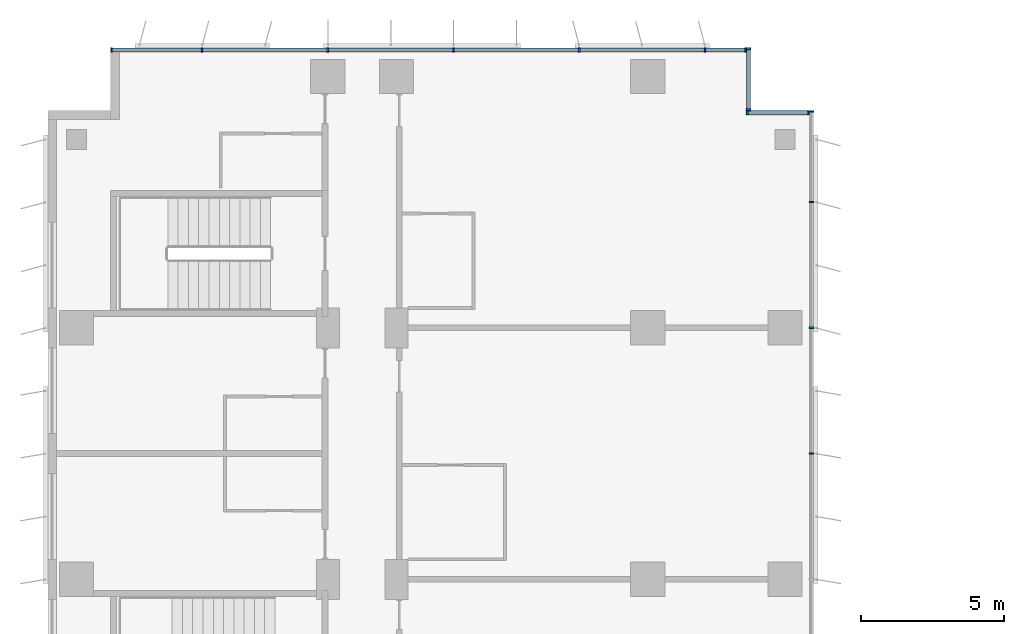
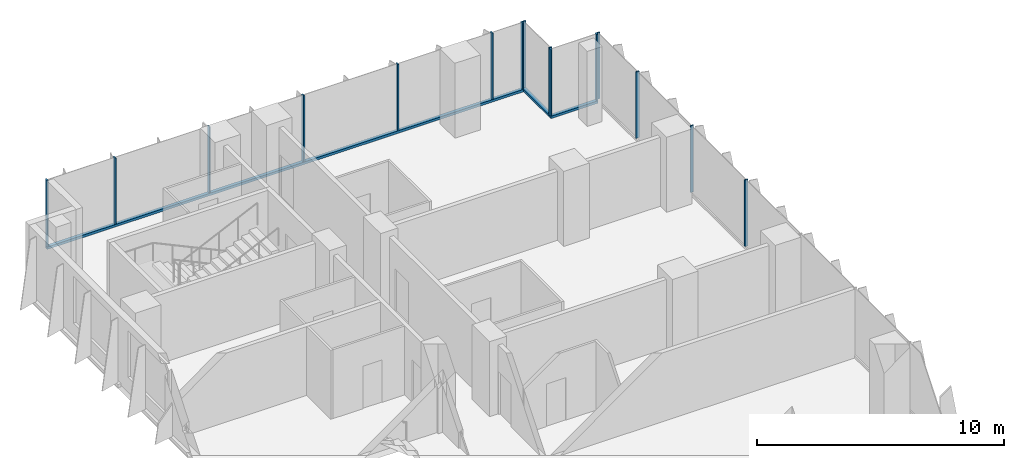
# One storey, part 9 of 22: 18 members, 4 elements without a shape of their own.
"""IFC4 building model written with IfcOpenShell, lengths in metres."""

from ifc_helpers import new_model, si_unit, direction, frame, origin, origin_2d, place, context, subcontext, project, spatial, rectangle, extrude, source, transform, mapped, material, material_profile, profile_set, type_object, element, aggregate, save


model = new_model("IFC4")

# Units and contexts
model_context = context("Model", 3, precision=1e-05, world=origin(), true_north=direction((0.0, 1.0)))
body_context = subcontext(model_context, "Body", "Model", "MODEL_VIEW")
ifc_project = project(units=[si_unit("LENGTHUNIT", "METRE"), si_unit("AREAUNIT", "SQUARE_METRE"), si_unit("VOLUMEUNIT", "CUBIC_METRE"), si_unit("PLANEANGLEUNIT", "RADIAN"), si_unit("MASSUNIT", "GRAM", prefix="KILO")], contexts=[model_context])

# Site, building, storey
site_placement = place(None, origin())
site = spatial("IfcSite", under=ifc_project, at=site_placement, CompositionType="ELEMENT")
building_placement = place(site_placement, origin())
building = spatial("IfcBuilding", under=site, at=building_placement, Name="Kemantara Hotel Tower", CompositionType="ELEMENT")
storey_placement = place(building_placement, frame((0.0, 0.0, 107.39990234375)))
storey = spatial("IfcBuildingStorey", under=building, at=storey_placement, Name="L25", CompositionType="ELEMENT", Elevation=107.39990234375)

# Curtain wall, member
ifc_material_1 = material(Name="Low-E tinted double insulated glass 36 mm", Category="glass")
curtain_wall_type = type_object("IfcCurtainWallType", Name="TOWER CURTAIN WALL, FRONT FACES", PredefinedType="USERDEFINED", material=ifc_material_1)
curtain_wall_1_placement = place(storey_placement, origin())
curtain_wall_1 = element("IfcCurtainWall", 1, at=curtain_wall_1_placement, inside=storey, type_object=curtain_wall_type, Name="CW4 L25 T2-R01-1", ObjectType="TOWER CURTAIN WALL, FRONT FACES", PredefinedType="USERDEFINED")
ifc_material_2 = material(Name="Aluminium 6063-T6 bronze anodised", Category="aluminium")
ifc_material_profile_1 = material_profile(ifc_material_2, rectangle(XDim=0.14990234375, YDim=0.1201171875, at=origin_2d()), Name="TOWER CURTAIN WALL, FRONT FACES TRANSOM")
ifc_profile_set_1 = profile_set([ifc_material_profile_1], Name="Aluminium 6063-T6 bronze anodised")
member_type_1 = type_object("IfcMemberType", Name="TOWER CURTAIN WALL, FRONT FACES TRANSOM", PredefinedType="USERDEFINED", material=ifc_profile_set_1)
member_1_placement = place(storey_placement, frame((24.449951171875, 81.125, 0.06005859375), z_axis=(-1.0, 0.0, 0.0), x_axis=(0.0, -1.0, 0.0)))
member_1 = element("IfcMember", 2, at=member_1_placement, type_object=member_type_1, Name="CW4 sill transom T2-R01-1", ObjectType="TRANSOM", PredefinedType="USERDEFINED", context=body_context, shape_type="SweptSolid", body=[
    extrude(rectangle(XDim=0.14990234375, YDim=0.1201171875, at=origin_2d()), origin(), (0.0, 0.0, 1.0), 22.25),
])

curtain_wall_2_placement = place(storey_placement, origin())
curtain_wall_2 = element("IfcCurtainWall", 3, at=curtain_wall_2_placement, inside=storey, type_object=curtain_wall_type, Name="CW4 L25 T2-R00-1", ObjectType="TOWER CURTAIN WALL, FRONT FACES", PredefinedType="USERDEFINED")
member_2_placement = place(storey_placement, frame((24.52490234375, 79.0, 0.06005859375), z_axis=(0.0, 1.0, 0.0), x_axis=(-1.0, 0.0, 0.0)))
member_2 = element("IfcMember", 4, at=member_2_placement, type_object=member_type_1, Name="CW4 sill transom T2-R00-1", ObjectType="TRANSOM", PredefinedType="USERDEFINED", context=body_context, shape_type="SweptSolid", body=[
    extrude(rectangle(XDim=0.14990234375, YDim=0.1201171875, at=origin_2d()), origin(), (0.0, 0.0, 1.0), 2.199951171875),
])

curtain_wall_3_placement = place(storey_placement, origin())
curtain_wall_3 = element("IfcCurtainWall", 5, at=curtain_wall_3_placement, inside=storey, type_object=curtain_wall_type, Name="CW4 L25 T2-R15-1", ObjectType="TOWER CURTAIN WALL, FRONT FACES", PredefinedType="USERDEFINED")
member_3_placement = place(storey_placement, frame((26.64990234375, 78.925048828125, 0.06005859375), z_axis=(-1.0, 0.0, 0.0), x_axis=(0.0, -1.0, 0.0)))
member_3 = element("IfcMember", 6, at=member_3_placement, type_object=member_type_1, Name="CW4 sill transom T2-R15-1", ObjectType="TRANSOM", PredefinedType="USERDEFINED", context=body_context, shape_type="SweptSolid", body=[
    extrude(rectangle(XDim=0.14990234375, YDim=0.1201171875, at=origin_2d()), origin(), (0.0, 0.0, 1.0), 2.199951171875),
])

# Member
ifc_material_profile_2 = material_profile(ifc_material_2, rectangle(XDim=0.14990234375, YDim=0.06005859375, at=origin_2d()), Name="TOWER CURTAIN WALL, FRONT FACES MULLION")
ifc_profile_set_2 = profile_set([ifc_material_profile_2], Name="Aluminium 6063-T6 bronze anodised")
member_type_2 = type_object("IfcMemberType", Name="TOWER CURTAIN WALL, FRONT FACES MULLION", PredefinedType="MULLION", material=ifc_profile_set_2)
shared_shape = source(origin(), body_context, "Body", "SweptSolid", [
    extrude(rectangle(XDim=0.14990234375, YDim=0.06005859375, at=origin_2d()), origin(), (0.0, 0.0, 1.0), 3.280029296875),
])
member_4_placement = place(storey_placement, frame((24.419921875, 81.125, 0.1201171875), z_axis=(0.0, 0.0, 1.0), x_axis=(0.0, -1.0, 0.0)))
member_4 = element("IfcMember", 7, at=member_4_placement, type_object=member_type_2, Name="CW4 mullion T2-R01-1.1", PredefinedType="MULLION", context=body_context, shape_type="MappedRepresentation", body=[
    mapped(shared_shape, transform((0.0, 0.0, 0.0))),
])

member_5_placement = place(storey_placement, frame((23.0, 81.125, 0.1201171875), z_axis=(0.0, 0.0, 1.0), x_axis=(0.0, -1.0, 0.0)))
member_5 = element("IfcMember", 8, at=member_5_placement, type_object=member_type_2, Name="CW4 mullion T2-R01-1.2", PredefinedType="MULLION", context=body_context, shape_type="MappedRepresentation", body=[
    mapped(shared_shape, transform((0.0, 0.0, 0.0))),
])

member_6_placement = place(storey_placement, frame((18.60009765625, 81.125, 0.1201171875), z_axis=(0.0, 0.0, 1.0), x_axis=(0.0, -1.0, 0.0)))
member_6 = element("IfcMember", 9, at=member_6_placement, type_object=member_type_2, Name="CW4 mullion T2-R01-1.3", PredefinedType="MULLION", context=body_context, shape_type="MappedRepresentation", body=[
    mapped(shared_shape, transform((0.0, 0.0, 0.0))),
])

member_7_placement = place(storey_placement, frame((14.199951171875, 81.125, 0.1201171875), z_axis=(0.0, 0.0, 1.0), x_axis=(0.0, -1.0, 0.0)))
member_7 = element("IfcMember", 10, at=member_7_placement, type_object=member_type_2, Name="CW4 mullion T2-R01-1.4", PredefinedType="MULLION", context=body_context, shape_type="MappedRepresentation", body=[
    mapped(shared_shape, transform((0.0, 0.0, 0.0))),
])

member_8_placement = place(storey_placement, frame((9.800048828125, 81.125, 0.1201171875), z_axis=(0.0, 0.0, 1.0), x_axis=(0.0, -1.0, 0.0)))
member_8 = element("IfcMember", 11, at=member_8_placement, type_object=member_type_2, Name="CW4 mullion T2-R01-1.5", PredefinedType="MULLION", context=body_context, shape_type="MappedRepresentation", body=[
    mapped(shared_shape, transform((0.0, 0.0, 0.0))),
])

member_9_placement = place(storey_placement, frame((5.39990234375, 81.125, 0.1201171875), z_axis=(0.0, 0.0, 1.0), x_axis=(0.0, -1.0, 0.0)))
member_9 = element("IfcMember", 12, at=member_9_placement, type_object=member_type_2, Name="CW4 mullion T2-R01-1.6", PredefinedType="MULLION", context=body_context, shape_type="MappedRepresentation", body=[
    mapped(shared_shape, transform((0.0, 0.0, 0.0))),
])

member_10_placement = place(storey_placement, frame((2.22998046875, 81.125, 0.1201171875), z_axis=(0.0, 0.0, 1.0), x_axis=(0.0, -1.0, 0.0)))
member_10 = element("IfcMember", 13, at=member_10_placement, type_object=member_type_2, Name="CW4 mullion T2-R01-1.7", PredefinedType="MULLION", context=body_context, shape_type="MappedRepresentation", body=[
    mapped(shared_shape, transform((0.0, 0.0, 0.0))),
])

aggregate(curtain_wall_1, [member_1, member_4, member_5, member_6, member_7, member_8, member_9, member_10])

# Curtain wall, members
curtain_wall_4_placement = place(storey_placement, origin())
curtain_wall_4 = element("IfcCurtainWall", 14, at=curtain_wall_4_placement, inside=storey, type_object=curtain_wall_type, Name="CW4 L25 T2-R14-1", ObjectType="TOWER CURTAIN WALL, FRONT FACES", PredefinedType="USERDEFINED")
member_11_placement = place(storey_placement, frame((26.72509765625, 67.0, 0.1201171875), z_axis=(0.0, 0.0, 1.0), x_axis=(-1.0, 0.0, 0.0)))
member_11 = element("IfcMember", 15, at=member_11_placement, type_object=member_type_2, Name="CW4 mullion T2-R14-1.12", PredefinedType="MULLION", context=body_context, shape_type="MappedRepresentation", body=[
    mapped(shared_shape, transform((0.0, 0.0, 0.0))),
])
member_12_placement = place(storey_placement, frame((26.72509765625, 71.39990234375, 0.1201171875), z_axis=(0.0, 0.0, 1.0), x_axis=(-1.0, 0.0, 0.0)))
member_12 = element("IfcMember", 16, at=member_12_placement, type_object=member_type_2, Name="CW4 mullion T2-R14-1.13", PredefinedType="MULLION", context=body_context, shape_type="MappedRepresentation", body=[
    mapped(shared_shape, transform((0.0, 0.0, 0.0))),
])
member_13_placement = place(storey_placement, frame((26.72509765625, 75.800048828125, 0.1201171875), z_axis=(0.0, 0.0, 1.0), x_axis=(-1.0, 0.0, 0.0)))
member_13 = element("IfcMember", 17, at=member_13_placement, type_object=member_type_2, Name="CW4 mullion T2-R14-1.14", PredefinedType="MULLION", context=body_context, shape_type="MappedRepresentation", body=[
    mapped(shared_shape, transform((0.0, 0.0, 0.0))),
])
member_14_placement = place(storey_placement, frame((26.72509765625, 78.969970703125, 0.1201171875), z_axis=(0.0, 0.0, 1.0), x_axis=(-1.0, 0.0, 0.0)))
member_14 = element("IfcMember", 18, at=member_14_placement, type_object=member_type_2, Name="CW4 mullion T2-R14-1.15", PredefinedType="MULLION", context=body_context, shape_type="MappedRepresentation", body=[
    mapped(shared_shape, transform((0.0, 0.0, 0.0))),
])
aggregate(curtain_wall_4, [member_11, member_12, member_13, member_14])

# Member
member_15_placement = place(storey_placement, frame((24.52490234375, 79.030029296875, 0.1201171875), z_axis=(0.0, 0.0, 1.0), x_axis=(-1.0, 0.0, 0.0)))
member_15 = element("IfcMember", 19, at=member_15_placement, type_object=member_type_2, Name="CW4 mullion T2-R00-1.1", PredefinedType="MULLION", context=body_context, shape_type="MappedRepresentation", body=[
    mapped(shared_shape, transform((0.0, 0.0, 0.0))),
])

member_16_placement = place(storey_placement, frame((24.52490234375, 81.169921875, 0.1201171875), z_axis=(0.0, 0.0, 1.0), x_axis=(-1.0, 0.0, 0.0)))
member_16 = element("IfcMember", 20, at=member_16_placement, type_object=member_type_2, Name="CW4 mullion T2-R00-1.2", PredefinedType="MULLION", context=body_context, shape_type="MappedRepresentation", body=[
    mapped(shared_shape, transform((0.0, 0.0, 0.0))),
])

aggregate(curtain_wall_2, [member_2, member_15, member_16])

member_17_placement = place(storey_placement, frame((26.6201171875, 78.925048828125, 0.1201171875), z_axis=(0.0, 0.0, 1.0), x_axis=(0.0, -1.0, 0.0)))
member_17 = element("IfcMember", 21, at=member_17_placement, type_object=member_type_2, Name="CW4 mullion T2-R15-1.1", PredefinedType="MULLION", context=body_context, shape_type="MappedRepresentation", body=[
    mapped(shared_shape, transform((0.0, 0.0, 0.0))),
])

member_18_placement = place(storey_placement, frame((24.47998046875, 78.925048828125, 0.1201171875), z_axis=(0.0, 0.0, 1.0), x_axis=(0.0, -1.0, 0.0)))
member_18 = element("IfcMember", 22, at=member_18_placement, type_object=member_type_2, Name="CW4 mullion T2-R15-1.2", PredefinedType="MULLION", context=body_context, shape_type="MappedRepresentation", body=[
    mapped(shared_shape, transform((0.0, 0.0, 0.0))),
])

aggregate(curtain_wall_3, [member_3, member_17, member_18])

save(model, "model.ifc")
